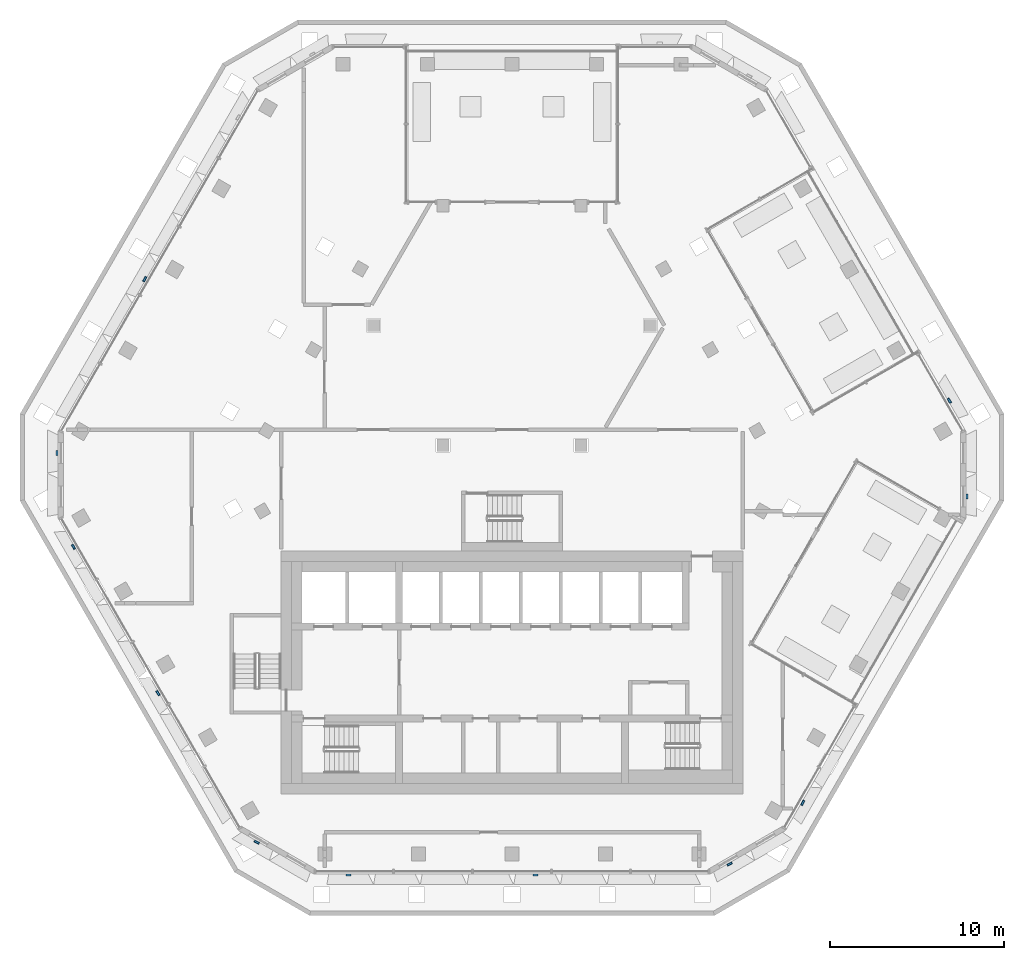
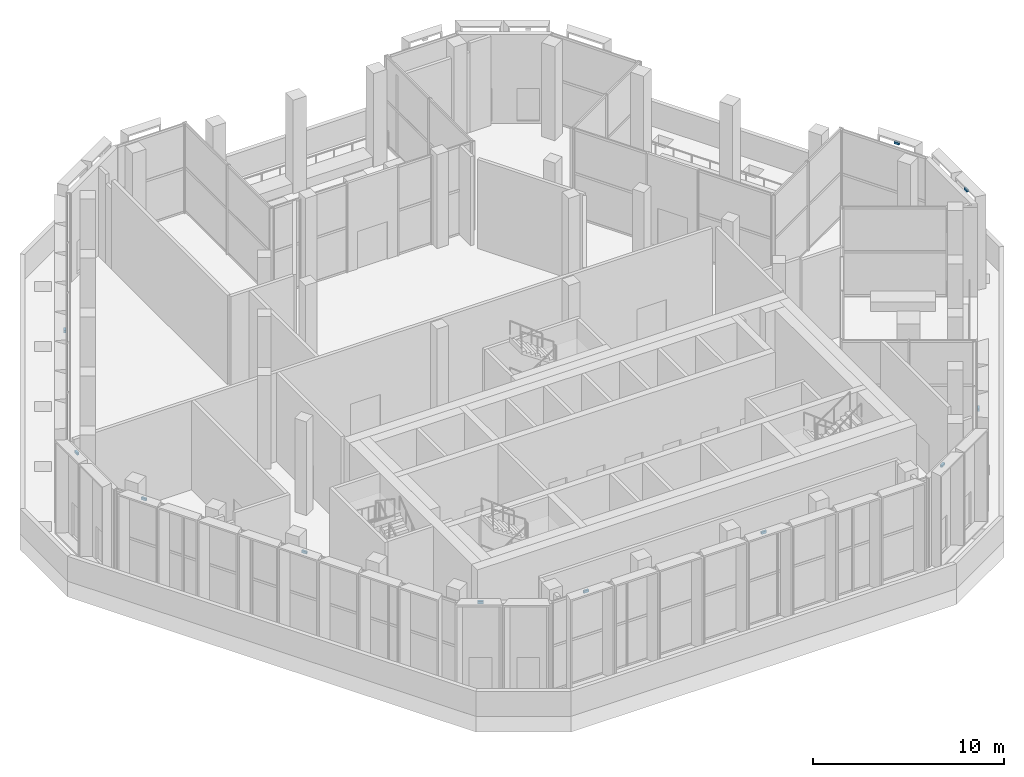
# One storey, part 13 of 23: 11 discrete accessories.
"""IFC4 building model written with IfcOpenShell, lengths in metres."""

import ifcopenshell
import ifcopenshell.guid

model = None  # the IFC model being written
_history = None  # IfcOwnerHistory: only IFC2X3 demands one
_inside = {}  # id of a spatial element -> (the spatial element, [elements in it])
_under = {}  # id of a project, library or spatial element -> (it, [spatial elements below it])
_declared = {}  # id of a project -> (the project, [libraries it declares])
_typed = {}  # id of a type object -> (the type object, [elements of that type])
_made_of = {}  # id of a material, layer set ... -> (it, [elements and type objects made of it])


def new_model(schema):
    """Start an empty IFC model of exactly this schema.

    Asked for "IFC4X3", IfcOpenShell would pick the latest addendum, in which some entities
    have other attributes; the version numbers below select the first issue.
    IFC2X3 requires an IfcOwnerHistory on every rooted entity: one is made here for all.
    """
    global model, _history
    if schema == "IFC4X3":
        model = ifcopenshell.file(schema_version=(4, 3, 0, 0))
    else:
        model = ifcopenshell.file(schema=schema)
    _inside.clear()
    _under.clear()
    _declared.clear()
    _typed.clear()
    _made_of.clear()
    _history = None
    if model.schema == "IFC2X3":
        org = make("IfcOrganization", Name="unknown")
        user = make(
            "IfcPersonAndOrganization",
            ThePerson=make("IfcPerson", FamilyName="unknown"),
            TheOrganization=org,
        )
        app = make(
            "IfcApplication",
            ApplicationDeveloper=org,
            Version="unknown",
            ApplicationFullName="unknown",
            ApplicationIdentifier="unknown",
        )
        _history = make(
            "IfcOwnerHistory",
            OwningUser=user,
            OwningApplication=app,
            ChangeAction="ADDED",
            CreationDate=0,
        )
    return model


def make(cls, **values):
    """One entity of the class cls with the attributes given. An attribute that is None is left unset."""
    return model.create_entity(
        cls, **{name: value for name, value in values.items() if value is not None}
    )


def rooted(cls, **values):
    """An entity with a GlobalId (a new one), such as an element, a storey or a relation."""
    return make(cls, GlobalId=ifcopenshell.guid.new(), OwnerHistory=_history, **values)


def si_unit(unit_type, name, prefix=None):
    """IfcSIUnit, for example si_unit("LENGTHUNIT", "METRE", prefix="MILLI")."""
    return make("IfcSIUnit", UnitType=unit_type, Prefix=prefix, Name=name)


def assignment(units):
    """IfcUnitAssignment: the units of a project."""
    return None if units is None else make("IfcUnitAssignment", Units=units)


def point(xyz):
    """IfcCartesianPoint."""
    return None if xyz is None else make("IfcCartesianPoint", Coordinates=xyz)


def direction(xyz):
    """IfcDirection."""
    return None if xyz is None else make("IfcDirection", DirectionRatios=xyz)


def frame(location, z_axis=None, x_axis=None):
    """IfcAxis2Placement3D, a coordinate frame: its origin and axes. An axis left out is left unset."""
    return make(
        "IfcAxis2Placement3D",
        Location=point(location),
        Axis=direction(z_axis),
        RefDirection=direction(x_axis),
    )


def origin():
    """The frame at (0, 0, 0) with its axes left unset."""
    return frame((0.0, 0.0, 0.0))


def place(relative_to, where):
    """IfcLocalPlacement: puts the frame where relative to a parent placement (None: the world)."""
    return make(
        "IfcLocalPlacement", PlacementRelTo=relative_to, RelativePlacement=where
    )


def context(
    kind, dimensions, precision=None, world=None, true_north=None, identifier=None
):
    """IfcGeometricRepresentationContext, for example the 3D "Model" context."""
    return make(
        "IfcGeometricRepresentationContext",
        ContextIdentifier=identifier,
        ContextType=kind,
        CoordinateSpaceDimension=dimensions,
        Precision=precision,
        WorldCoordinateSystem=world,
        TrueNorth=true_north,
    )


def subcontext(parent, identifier, kind, view, scale=None):
    """IfcGeometricRepresentationSubContext, for example "Body" below "Model"."""
    return make(
        "IfcGeometricRepresentationSubContext",
        ContextIdentifier=identifier,
        ContextType=kind,
        ParentContext=parent,
        TargetScale=scale,
        TargetView=view,
    )


def project(units=None, contexts=None):
    """IfcProject with its units and contexts."""
    return rooted(
        "IfcProject",
        Name="project",
        RepresentationContexts=contexts,
        UnitsInContext=assignment(units),
    )


def spatial(cls, under=None, at=None, **own):
    """A site, building, storey or space (cls), placed at a placement, below another one or the project."""
    s = rooted(cls, ObjectPlacement=at, **own)
    if under is not None:
        _under.setdefault(under.id(), (under, []))[1].append(s)
    return s


def polyline(points):
    """IfcPolyline through the points."""
    return make("IfcPolyline", Points=[point(p) for p in points])


def outline(outer, holes=None, kind="AREA"):
    """IfcArbitraryClosedProfileDef: a profile drawn as a closed curve; with holes, ...WithVoids."""
    if holes is None:
        return make("IfcArbitraryClosedProfileDef", ProfileType=kind, OuterCurve=outer)
    return make(
        "IfcArbitraryProfileDefWithVoids",
        ProfileType=kind,
        OuterCurve=outer,
        InnerCurves=holes,
    )


def extrude(swept, where, along, depth):
    """IfcExtrudedAreaSolid: the profile swept, set in the frame where, extruded along a direction by depth."""
    return make(
        "IfcExtrudedAreaSolid",
        SweptArea=swept,
        Position=where,
        ExtrudedDirection=direction(along),
        Depth=depth,
    )


def shape(context_of_items, identifier, shape_type, items):
    """IfcShapeRepresentation: the items that make up one representation, for example the "Body"."""
    return make(
        "IfcShapeRepresentation",
        ContextOfItems=context_of_items,
        RepresentationIdentifier=identifier,
        RepresentationType=shape_type,
        Items=items,
    )


def source(mapping_origin, context_of_items, identifier, shape_type, items):
    """IfcRepresentationMap: a shape defined once, which mapped items show again and again."""
    return make(
        "IfcRepresentationMap",
        MappingOrigin=mapping_origin,
        MappedRepresentation=shape(context_of_items, identifier, shape_type, items),
    )


def transform(
    local_origin,
    x_axis=None,
    y_axis=None,
    z_axis=None,
    scale=None,
    scale2=None,
    scale3=None,
    uniform=True,
):
    """IfcCartesianTransformationOperator3D, or its non-uniform kind. x_axis, y_axis, z_axis: its Axis1, 2, 3."""
    if uniform:
        return make(
            "IfcCartesianTransformationOperator3D",
            Axis1=direction(x_axis),
            Axis2=direction(y_axis),
            LocalOrigin=point(local_origin),
            Scale=scale,
            Axis3=direction(z_axis),
        )
    return make(
        "IfcCartesianTransformationOperator3DnonUniform",
        Axis1=direction(x_axis),
        Axis2=direction(y_axis),
        LocalOrigin=point(local_origin),
        Scale=scale,
        Axis3=direction(z_axis),
        Scale2=scale2,
        Scale3=scale3,
    )


def mapped(mapping_source, mapping_target):
    """IfcMappedItem: shows the shape of a source again, moved by a transform."""
    return make(
        "IfcMappedItem", MappingSource=mapping_source, MappingTarget=mapping_target
    )


def material(Name=None, Category=None):
    """IfcMaterial."""
    return make("IfcMaterial", Name=Name, Category=Category)


def made_of(thing, what):
    """Note that an element or type object is made of a material, layer set ...; save() writes the relation."""
    if what is not None:
        _made_of.setdefault(what.id(), (what, []))[1].append(thing)
    return thing


def type_object(cls, material=None, **own):
    """A type object (cls), such as IfcWallType, which elements share."""
    return made_of(rooted(cls, **own), material)


def type_shapes(of_type, sources):
    """Give a type object the sources (RepresentationMaps) that its elements show as mapped items."""
    of_type.RepresentationMaps = sources


def element(
    cls,
    number,
    at=None,
    inside=None,
    cuts=None,
    type_object=None,
    material=None,
    context=None,
    identifier="Body",
    shape_type=None,
    held_by="IfcProductDefinitionShape",
    body=None,
    shapes=None,
    **own,
):
    """One element of the class cls, such as IfcWall. Its Tag is "e" and its number.

    at: its placement. inside: the storey or other place that contains it. cuts: it is an
    opening in that element (IfcRelVoidsElement). A single representation is given by context,
    identifier, shape_type and body (its items); several are given by shapes. held_by: the class
    of the entity that holds the representations. save() writes the other relations.
    """
    e = rooted(cls, Tag="e%d" % number, ObjectPlacement=at, **own)
    if body is not None:
        shapes = [shape(context, identifier, shape_type, body)]
    if shapes is not None:
        e.Representation = make(held_by, Representations=shapes)
    if inside is not None:
        _inside.setdefault(inside.id(), (inside, []))[1].append(e)
    if cuts is not None:
        rooted(
            "IfcRelVoidsElement", RelatingBuildingElement=cuts, RelatedOpeningElement=e
        )
    if type_object is not None:
        _typed.setdefault(type_object.id(), (type_object, []))[1].append(e)
    return made_of(e, material)


def aggregate(whole, parts):
    """IfcRelAggregates: a whole, such as a stair, and the parts it consists of."""
    return rooted("IfcRelAggregates", RelatingObject=whole, RelatedObjects=parts)


def save(model, path):
    """Write the relations noted so far, then the file.

    IfcRelAggregates (storeys below a building ...), IfcRelContainedInSpatialStructure (elements
    in a storey), IfcRelDefinesByType, IfcRelAssociatesMaterial and IfcRelDeclares: one each for
    every whole, place, type object, material and project.
    """
    for whole, parts in _under.values():
        aggregate(whole, parts)
    for where, things in _inside.values():
        rooted(
            "IfcRelContainedInSpatialStructure",
            RelatedElements=things,
            RelatingStructure=where,
        )
    for kind, things in _typed.values():
        rooted("IfcRelDefinesByType", RelatedObjects=things, RelatingType=kind)
    for what, things in _made_of.values():
        rooted("IfcRelAssociatesMaterial", RelatedObjects=things, RelatingMaterial=what)
    for by, libraries in _declared.values():
        rooted("IfcRelDeclares", RelatingContext=by, RelatedDefinitions=libraries)
    model.write(path)


model = new_model("IFC4")

# Units and contexts
model_context = context("Model", 3, precision=1e-05, world=origin(), true_north=direction((0.0, 1.0)))
body_context = subcontext(model_context, "Body", "Model", "MODEL_VIEW")
ifc_project = project(units=[si_unit("LENGTHUNIT", "METRE"), si_unit("AREAUNIT", "SQUARE_METRE"), si_unit("VOLUMEUNIT", "CUBIC_METRE"), si_unit("PLANEANGLEUNIT", "RADIAN"), si_unit("MASSUNIT", "GRAM", prefix="KILO")], contexts=[model_context])

# Site, building, storey
site_placement = place(None, origin())
site = spatial("IfcSite", under=ifc_project, at=site_placement, CompositionType="ELEMENT")
building_placement = place(site_placement, origin())
building = spatial("IfcBuilding", under=site, at=building_placement, Name="Beryl Residences", CompositionType="ELEMENT")
storey_placement = place(building_placement, frame((0.0, 0.0, 157.199951171875)))
storey = spatial("IfcBuildingStorey", under=building, at=storey_placement, Name="L48", CompositionType="ELEMENT", Elevation=157.199951171875)

# Discrete accessories
ifc_material = material(Name="Steel S355", Category="steel")
discrete_accessory_type = type_object("IfcDiscreteAccessoryType", Name="BR1 frame bracket 300 x 120 x 150 mm", PredefinedType="BRACKET", material=ifc_material)
shared_shape = source(origin(), body_context, "Body", "SweptSolid", [
    extrude(outline(polyline([(-0.14990234375, 0.0), (0.14990234375, 0.0), (0.14990234375, 0.1201171875), (-0.14990234375, 0.1201171875), (-0.14990234375, 0.0)])), origin(), (0.0, 0.0, 1.0), 0.14990234375),
])
type_shapes(discrete_accessory_type, [shared_shape])
for number, where, z_axis, x_axis, name in (
    (1, (-21.111083984375, 10.634033203125, 5.75), (0.0, 0.0, 1.0), (0.5, 0.866025403784, 0.0), "BR1 bracket L48 NW 5"),
    (2, (-26.154052734375, 0.64990234375, 5.75), (0.0, 0.0, 1.0), (0.0, 1.0, 0.0), "BR1 bracket L48 NW-SW 1"),
    (3, (-25.212890625, -4.72802734375, 5.75), (0.0, 0.0, 1.0), (-0.5, 0.866025403784, 0.0), "BR1 bracket L48 SW 1"),
    (4, (-20.35009765625, -13.152099609375, 5.75), (0.0, 0.0, 1.0), (-0.5, 0.866025403784, 0.0), "BR1 bracket L48 SW 5"),
    (5, (-14.677978515625, -21.72509765625, 5.75), (0.0, 0.0, 1.0), (-0.866025403784, 0.5, 0.0), "BR1 bracket L48 SW-S 1"),
    (6, (-9.4208984375, -23.60009765625, 5.75), (0.0, 0.0, 1.0), (-1.0, 0.0, 0.0), "BR1 bracket L48 S 1"),
    (7, (1.346923828125, -23.60009765625, 5.75), (0.0, 0.0, 1.0), (-1.0, 0.0, 0.0), "BR1 bracket L48 S 5"),
    (8, (12.513916015625, -22.97509765625, 5.75), (0.0, 0.0, 1.0), (-0.866025403784, -0.5, 0.0), "BR1 bracket L48 S-SE 1"),
    (9, (16.700927734375, -19.471923828125, 5.75), (0.0, 0.0, 1.0), (-0.5, -0.866025403784, 0.0), "BR1 bracket L48 SE 1"),
    (10, (26.154052734375, -1.85009765625, 5.75), (0.0, 0.0, 1.0), (0.0, -1.0, 0.0), "BR1 bracket L48 SE-NE 1"),
    (11, (25.14892578125, 3.639892578125, 5.75), (0.0, 0.0, 1.0), (0.5, -0.866025403784, 0.0), "BR1 bracket L48 NE 1"),
):
    element("IfcDiscreteAccessory", number, at=place(storey_placement, frame(where, z_axis=z_axis, x_axis=x_axis)), inside=storey, type_object=discrete_accessory_type, Name=name, PredefinedType="BRACKET", context=body_context, shape_type="MappedRepresentation", body=[
        mapped(shared_shape, transform((0.0, 0.0, 0.0))),
    ])

save(model, "model.ifc")
